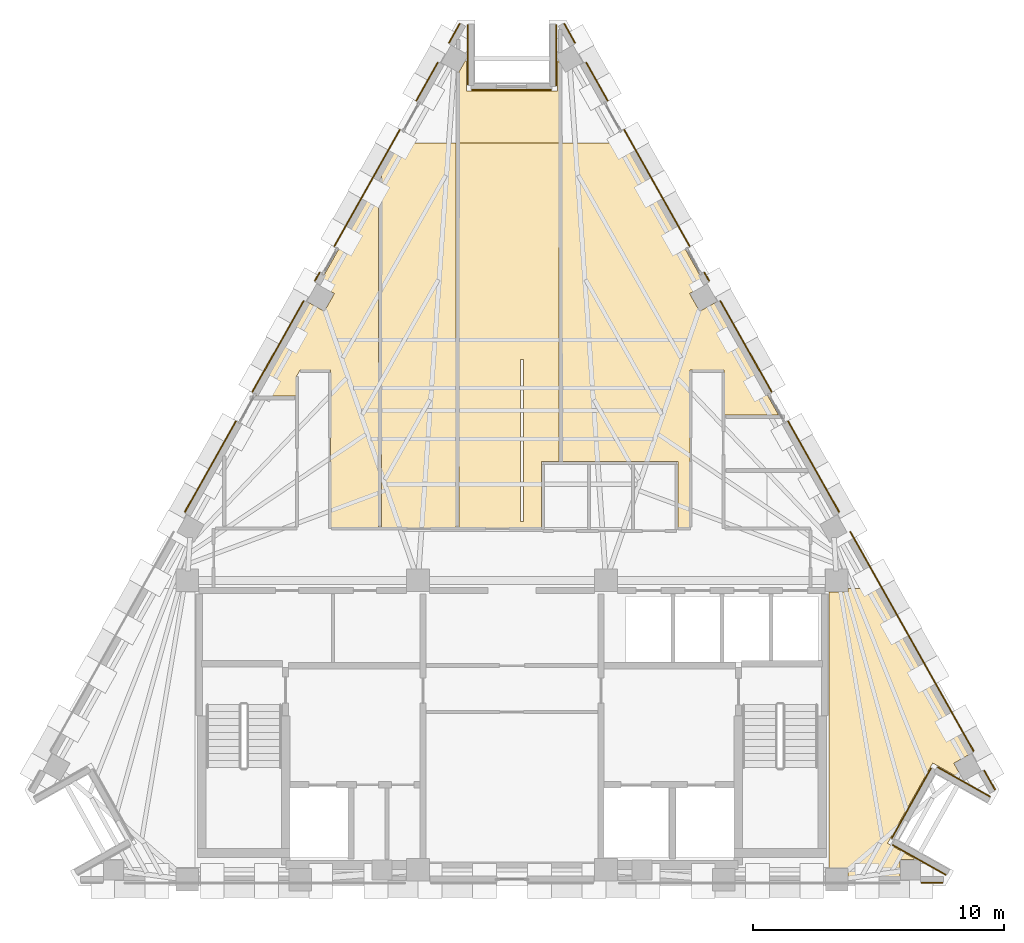
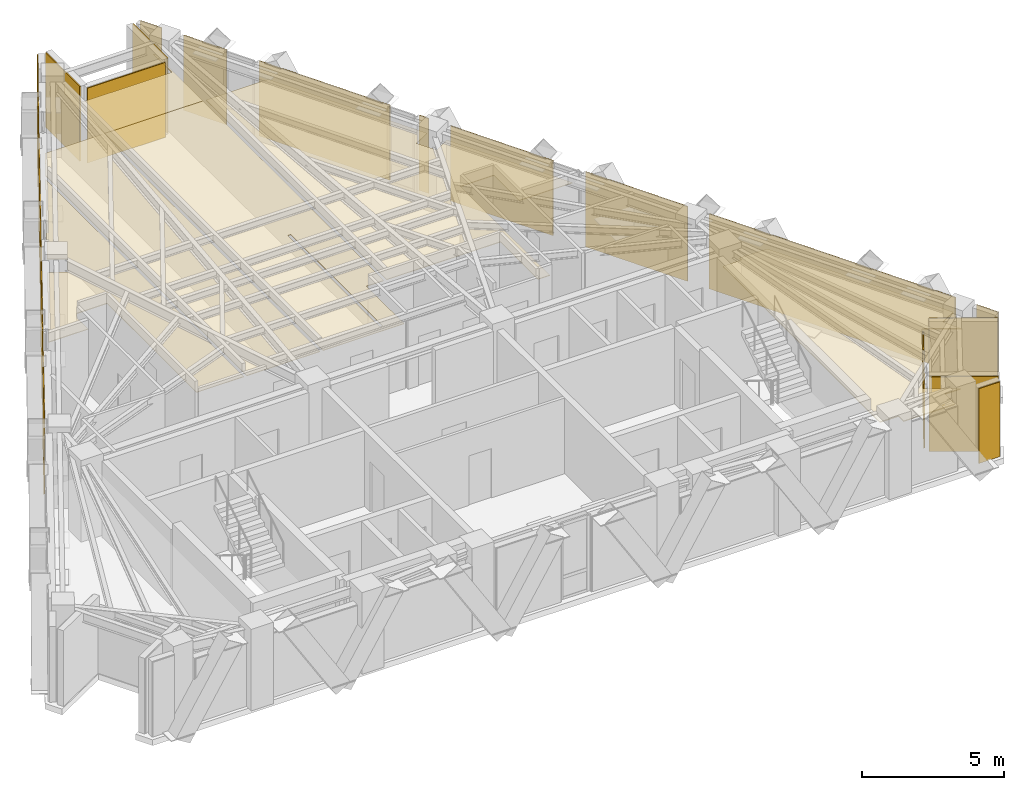
# One storey, part 9 of 9: 27 coverings.
"""IFC4 building model written with IfcOpenShell, lengths in metres."""

from ifc_helpers import new_model, si_unit, direction, frame, origin, place, context, subcontext, project, spatial, polyline, outline, extrude, material, layer, layer_set, type_object, element, save


model = new_model("IFC4")

# Units and contexts
model_context = context("Model", 3, precision=1e-05, world=origin(), true_north=direction((0.0, 1.0)))
body_context = subcontext(model_context, "Body", "Model", "MODEL_VIEW")
ifc_project = project(units=[si_unit("LENGTHUNIT", "METRE"), si_unit("AREAUNIT", "SQUARE_METRE"), si_unit("VOLUMEUNIT", "CUBIC_METRE"), si_unit("PLANEANGLEUNIT", "RADIAN"), si_unit("MASSUNIT", "GRAM", prefix="KILO")], contexts=[model_context])

# Site, building, storey
site_placement = place(None, origin())
site = spatial("IfcSite", under=ifc_project, at=site_placement, CompositionType="ELEMENT")
building_placement = place(site_placement, origin())
building = spatial("IfcBuilding", under=site, at=building_placement, Name="Quenlor Broadcast Tower", CompositionType="ELEMENT")
storey_placement = place(building_placement, frame((0.0, 0.0, 260.39990234375)))
storey = spatial("IfcBuildingStorey", under=building, at=storey_placement, Name="L72", CompositionType="ELEMENT", Elevation=260.39990234375)

# Coverings
ifc_material_1 = material(Name="Acoustic Mineral Fibre Board", Category="other")
ifc_layer_1 = layer(ifc_material_1, 0.02490234375)
ifc_layer_set_1 = layer_set([ifc_layer_1], Name="Acoustic Perforated Mineral Tile Ceiling 25")
covering_type_1 = type_object("IfcCoveringType", Name="Acoustic Perforated Mineral Tile Ceiling 25", PredefinedType="CEILING", material=ifc_layer_set_1)
covering_1_placement = place(storey_placement, frame((0.0, 0.0, 2.714599609375)))
element("IfcCovering", 1, at=covering_1_placement, inside=storey, type_object=covering_type_1, Name="L72 Acoustic Ceiling L72-23", PredefinedType="CEILING", context=body_context, shape_type="SweptSolid", body=[
    extrude(outline(polyline([(1.8798828125, -0.06005859375), (1.179931640625, -0.06005859375), (1.179931640625, -2.699951171875), (-2.104736328125, -2.699951171875), (-2.104736328125, 12.64990234375), (1.8798828125, 12.64990234375), (1.8798828125, -0.06005859375)]), holes=[polyline([(0.4599609375, -2.449951171875), (0.4599609375, 4.010009765625), (0.340087890625, 4.010009765625), (0.340087890625, -2.449951171875), (0.4599609375, -2.449951171875)])]), origin(), (0.0, 0.0, 1.0), 0.025146484375),
])
covering_2_placement = place(storey_placement, frame((0.0, 0.0, 2.714599609375)))
element("IfcCovering", 2, at=covering_2_placement, inside=storey, type_object=covering_type_1, Name="L72 Acoustic Ceiling L72-23-2", PredefinedType="CEILING", context=body_context, shape_type="SweptSolid", body=[
    extrude(outline(polyline([(1.808837890625, 16.0263671875), (1.8798828125, 15.89990234375), (1.8798828125, 12.64990234375), (-2.104736328125, 12.64990234375), (-2.104736328125, 15.500244140625), (-1.808837890625, 16.0263671875), (-1.808837890625, 14.719970703125), (1.808837890625, 14.719970703125), (1.808837890625, 16.0263671875)])), origin(), (0.0, 0.0, 1.0), 0.025146484375),
])
covering_3_placement = place(storey_placement, frame((0.0, 0.0, 2.714599609375)))
element("IfcCovering", 3, at=covering_3_placement, inside=storey, type_object=covering_type_1, Name="L72 Acoustic Ceiling L72-24", PredefinedType="CEILING", context=body_context, shape_type="SweptSolid", body=[
    extrude(outline(polyline([(7.10009765625, 3.590087890625), (7.10009765625, -2.699951171875), (6.6201171875, -2.699951171875), (6.6201171875, -0.06005859375), (2.0, -0.06005859375), (2.0, 12.64990234375), (4.53173828125, 12.64990234375), (7.711669921875, 6.996826171875), (7.0859375, 6.64501953125), (7.48583984375, 5.93359375), (8.11181640625, 6.28564453125), (10.62939453125, 1.81005859375), (8.4599609375, 1.81005859375), (8.4599609375, 3.590087890625), (7.10009765625, 3.590087890625)])), origin(), (0.0, 0.0, 1.0), 0.025146484375),
])
covering_4_placement = place(storey_placement, frame((0.0, 0.0, 2.714599609375)))
element("IfcCovering", 4, at=covering_4_placement, inside=storey, type_object=covering_type_1, Name="L72 Acoustic Ceiling L72-25", PredefinedType="CEILING", context=body_context, shape_type="SweptSolid", body=[
    extrude(outline(polyline([(-2.224609375, -2.699951171875), (-5.199951171875, -2.699951171875), (-5.199951171875, 11.4619140625), (-4.53173828125, 12.64990234375), (-2.224609375, 12.64990234375), (-2.224609375, -2.699951171875)])), origin(), (0.0, 0.0, 1.0), 0.025146484375),
])
covering_5_placement = place(storey_placement, frame((0.0, 0.0, 2.714599609375)))
element("IfcCovering", 5, at=covering_5_placement, inside=storey, type_object=covering_type_1, Name="L72 Acoustic Ceiling L72-26", PredefinedType="CEILING", context=body_context, shape_type="SweptSolid", body=[
    extrude(outline(polyline([(-7.239990234375, -2.699951171875), (-7.239990234375, 3.590087890625), (-8.457763671875, 3.590087890625), (-8.60009765625, 3.337158203125), (-8.60009765625, 2.56005859375), (-10.20751953125, 2.56005859375), (-8.11181640625, 6.28564453125), (-7.48583984375, 5.93359375), (-7.0859375, 6.64501953125), (-7.711669921875, 6.996826171875), (-5.320068359375, 11.248779296875), (-5.320068359375, -2.699951171875), (-7.239990234375, -2.699951171875)])), origin(), (0.0, 0.0, 1.0), 0.025146484375),
])
ifc_material_2 = material(Name="Acoustic Gypsum Board", Category="other")
ifc_layer_2 = layer(ifc_material_2, 0.0400390625)
ifc_layer_set_2 = layer_set([ifc_layer_2], Name="Broadcast Studio Spring Isolated Ceiling 40")
covering_type_2 = type_object("IfcCoveringType", Name="Broadcast Studio Spring Isolated Ceiling 40", PredefinedType="CEILING", material=ifc_layer_set_2)
covering_6_placement = place(storey_placement, frame((0.0, 0.0, 2.69970703125)))
element("IfcCovering", 6, at=covering_6_placement, inside=storey, type_object=covering_type_2, Name="L72 Acoustic Ceiling L72-29-2", PredefinedType="CEILING", context=body_context, shape_type="SweptSolid", body=[
    extrude(outline(polyline([(13.407958984375, -5.1201171875), (14.52734375, -5.1201171875), (18.25244140625, -11.7421875), (17.626708984375, -12.09423828125), (18.0087890625, -12.773681640625), (16.785888671875, -12.085693359375), (14.983642578125, -15.28955078125), (16.1435546875, -15.94189453125), (15.489501953125, -15.94189453125), (15.489501953125, -16.659912109375), (13.407958984375, -16.659912109375), (13.407958984375, -16.2919921875), (12.64990234375, -16.2919921875), (12.64990234375, -5.258056640625), (13.407958984375, -5.258056640625), (13.407958984375, -5.1201171875)])), origin(), (0.0, 0.0, 1.0), 0.0400390625),
])
ifc_material_3 = material(Name="Architectural Terracotta Ceramic", Category="masonry")
ifc_layer_3 = layer(ifc_material_3, 0.044921875)
ifc_layer_set_3 = layer_set([ifc_layer_3], Name="Fluted Terracotta Rainscreen Cladding Panel")
covering_type_3 = type_object("IfcCoveringType", Name="Fluted Terracotta Rainscreen Cladding Panel", PredefinedType="CLADDING", material=ifc_layer_set_3)
covering_7_placement = place(storey_placement, frame((0.0, 0.0, 0.02001953125)))
element("IfcCovering", 7, at=covering_7_placement, inside=storey, type_object=covering_type_3, Name="L72 Terracotta Rainscreen Cladding L72-SHD-SS0", PredefinedType="CLADDING", context=body_context, shape_type="SweptSolid", body=[
    extrude(outline(polyline([(17.18994140625, -16.8369140625), (16.33251953125, -16.8369140625), (16.33251953125, -16.882080078125), (17.18994140625, -16.882080078125), (17.18994140625, -16.8369140625)])), origin(), (0.0, 0.0, 1.0), 3.2099609375),
])
covering_8_placement = place(storey_placement, frame((0.0, 0.0, 0.02001953125)))
element("IfcCovering", 8, at=covering_8_placement, inside=storey, type_object=covering_type_3, Name="L72 Terracotta Rainscreen Cladding L72-SHD-NES0", PredefinedType="CLADDING", context=body_context, shape_type="SweptSolid", body=[
    extrude(outline(polyline([(2.06201171875, 17.401611328125), (2.495849609375, 16.630615234375), (2.534912109375, 16.652587890625), (2.101318359375, 17.423583984375), (2.06201171875, 17.401611328125)])), origin(), (0.0, 0.0, 1.0), 3.2099609375),
])
covering_9_placement = place(storey_placement, frame((0.0, 0.0, 0.02001953125)))
element("IfcCovering", 9, at=covering_9_placement, inside=storey, type_object=covering_type_3, Name="L72 Terracotta Rainscreen Cladding L72-SHD-NES1", PredefinedType="CLADDING", context=body_context, shape_type="SweptSolid", body=[
    extrude(outline(polyline([(18.820068359375, -12.39013671875), (19.25390625, -13.161376953125), (19.29296875, -13.139404296875), (18.859130859375, -12.3681640625), (18.820068359375, -12.39013671875)])), origin(), (0.0, 0.0, 1.0), 3.2099609375),
])
covering_10_placement = place(storey_placement, frame((0.0, 0.0, 0.02001953125)))
element("IfcCovering", 10, at=covering_10_placement, inside=storey, type_object=covering_type_3, Name="L72 Terracotta Rainscreen Cladding L72-NEA-SP1", PredefinedType="CLADDING", context=body_context, shape_type="SweptSolid", body=[
    extrude(outline(polyline([(2.94091796875, 15.859619140625), (3.8037109375, 14.325927734375), (3.8427734375, 14.347900390625), (2.980224609375, 15.881591796875), (2.94091796875, 15.859619140625)])), origin(), (0.0, 0.0, 1.0), 3.2099609375),
])
covering_11_placement = place(storey_placement, frame((0.0, 0.0, 0.02001953125)))
element("IfcCovering", 11, at=covering_11_placement, inside=storey, type_object=covering_type_3, Name="L72 Terracotta Rainscreen Cladding L72-NEA-SP2", PredefinedType="CLADDING", context=body_context, shape_type="SweptSolid", body=[
    extrude(outline(polyline([(4.450927734375, 13.17529296875), (7.0732421875, 8.51318359375), (7.1123046875, 8.53515625), (4.490234375, 13.197265625), (4.450927734375, 13.17529296875)])), origin(), (0.0, 0.0, 1.0), 3.2099609375),
])
covering_12_placement = place(storey_placement, frame((0.0, 0.0, 0.02001953125)))
element("IfcCovering", 12, at=covering_12_placement, inside=storey, type_object=covering_type_3, Name="L72 Terracotta Rainscreen Cladding L72-NEA-SP3", PredefinedType="CLADDING", context=body_context, shape_type="SweptSolid", body=[
    extrude(outline(polyline([(7.655517578125, 7.478271484375), (7.8515625, 7.129638671875), (7.890625, 7.151611328125), (7.694580078125, 7.500244140625), (7.655517578125, 7.478271484375)])), origin(), (0.0, 0.0, 1.0), 3.2099609375),
])
covering_13_placement = place(storey_placement, frame((0.0, 0.0, 0.02001953125)))
element("IfcCovering", 13, at=covering_13_placement, inside=storey, type_object=covering_type_3, Name="L72 Terracotta Rainscreen Cladding L72-EW-NEC", PredefinedType="CLADDING", context=body_context, shape_type="SweptSolid", body=[
    extrude(outline(polyline([(13.471923828125, -2.862060546875), (18.402099609375, -11.626953125), (18.44140625, -11.60498046875), (13.51123046875, -2.840087890625), (13.471923828125, -2.862060546875)])), origin(), (0.0, 0.0, 1.0), 3.2099609375),
])
covering_14_placement = place(storey_placement, frame((0.0, 0.0, 0.02001953125)))
element("IfcCovering", 14, at=covering_14_placement, inside=storey, type_object=covering_type_3, Name="L72 Terracotta Rainscreen Cladding L72-NE-SP1", PredefinedType="CLADDING", context=body_context, shape_type="SweptSolid", body=[
    extrude(outline(polyline([(8.295166015625, 6.3408203125), (10.343017578125, 2.700439453125), (10.382080078125, 2.722412109375), (8.33447265625, 6.36279296875), (8.295166015625, 6.3408203125)])), origin(), (0.0, 0.0, 1.0), 3.2099609375),
])
covering_15_placement = place(storey_placement, frame((0.0, 0.0, 0.02001953125)))
element("IfcCovering", 15, at=covering_15_placement, inside=storey, type_object=covering_type_3, Name="L72 Terracotta Rainscreen Cladding L72-NE-SP2", PredefinedType="CLADDING", context=body_context, shape_type="SweptSolid", body=[
    extrude(outline(polyline([(10.990234375, 1.5498046875), (13.0380859375, -2.0908203125), (13.0771484375, -2.068603515625), (11.029541015625, 1.57177734375), (10.990234375, 1.5498046875)])), origin(), (0.0, 0.0, 1.0), 3.2099609375),
])
covering_16_placement = place(storey_placement, frame((0.0, 0.0, 0.02001953125)))
element("IfcCovering", 16, at=covering_16_placement, inside=storey, type_object=covering_type_3, Name="L72 Terracotta Rainscreen Cladding L72-SHD-NWS1", PredefinedType="CLADDING", context=body_context, shape_type="SweptSolid", body=[
    extrude(outline(polyline([(-2.495849609375, 16.630615234375), (-2.06201171875, 17.401611328125), (-2.101318359375, 17.423583984375), (-2.534912109375, 16.652587890625), (-2.495849609375, 16.630615234375)])), origin(), (0.0, 0.0, 1.0), 3.2099609375),
])
covering_17_placement = place(storey_placement, frame((0.0, 0.0, 0.02001953125)))
element("IfcCovering", 17, at=covering_17_placement, inside=storey, type_object=covering_type_3, Name="L72 Terracotta Rainscreen Cladding L72-NWC-SP1", PredefinedType="CLADDING", context=body_context, shape_type="SweptSolid", body=[
    extrude(outline(polyline([(-7.8515625, 7.129638671875), (-7.655517578125, 7.478271484375), (-7.694580078125, 7.500244140625), (-7.890625, 7.151611328125), (-7.8515625, 7.129638671875)])), origin(), (0.0, 0.0, 1.0), 3.2099609375),
])
covering_18_placement = place(storey_placement, frame((0.0, 0.0, 0.02001953125)))
element("IfcCovering", 18, at=covering_18_placement, inside=storey, type_object=covering_type_3, Name="L72 Terracotta Rainscreen Cladding L72-NWC-SP2", PredefinedType="CLADDING", context=body_context, shape_type="SweptSolid", body=[
    extrude(outline(polyline([(-7.0732421875, 8.51318359375), (-4.450927734375, 13.17529296875), (-4.490234375, 13.197265625), (-7.1123046875, 8.53515625), (-7.0732421875, 8.51318359375)])), origin(), (0.0, 0.0, 1.0), 3.2099609375),
])
covering_19_placement = place(storey_placement, frame((0.0, 0.0, 0.02001953125)))
element("IfcCovering", 19, at=covering_19_placement, inside=storey, type_object=covering_type_3, Name="L72 Terracotta Rainscreen Cladding L72-NWC-SP3", PredefinedType="CLADDING", context=body_context, shape_type="SweptSolid", body=[
    extrude(outline(polyline([(-3.8037109375, 14.325927734375), (-2.94091796875, 15.859619140625), (-2.980224609375, 15.881591796875), (-3.8427734375, 14.347900390625), (-3.8037109375, 14.325927734375)])), origin(), (0.0, 0.0, 1.0), 3.2099609375),
])
covering_20_placement = place(storey_placement, frame((0.0, 0.0, 0.02001953125)))
element("IfcCovering", 20, at=covering_20_placement, inside=storey, type_object=covering_type_3, Name="L72 Terracotta Rainscreen Cladding L72-NW-SP1", PredefinedType="CLADDING", context=body_context, shape_type="SweptSolid", body=[
    extrude(outline(polyline([(-13.0380859375, -2.0908203125), (-10.990234375, 1.5498046875), (-11.029541015625, 1.57177734375), (-13.0771484375, -2.068603515625), (-13.0380859375, -2.0908203125)])), origin(), (0.0, 0.0, 1.0), 3.2099609375),
])
covering_21_placement = place(storey_placement, frame((0.0, 0.0, 0.02001953125)))
element("IfcCovering", 21, at=covering_21_placement, inside=storey, type_object=covering_type_3, Name="L72 Terracotta Rainscreen Cladding L72-NW-SP2", PredefinedType="CLADDING", context=body_context, shape_type="SweptSolid", body=[
    extrude(outline(polyline([(-10.343017578125, 2.700439453125), (-8.295166015625, 6.3408203125), (-8.33447265625, 6.36279296875), (-10.382080078125, 2.722412109375), (-10.343017578125, 2.700439453125)])), origin(), (0.0, 0.0, 1.0), 3.2099609375),
])
covering_22_placement = place(storey_placement, frame((0.0, 0.0, 0.02001953125)))
element("IfcCovering", 22, at=covering_22_placement, inside=storey, type_object=covering_type_3, Name="L72 Terracotta Rainscreen Cladding L72-CNR-01", PredefinedType="CLADDING", context=body_context, shape_type="SweptSolid", body=[
    extrude(outline(polyline([(17.32666015625, -16.529541015625), (15.199951171875, -15.333251953125), (15.177978515625, -15.372314453125), (17.3046875, -16.568603515625), (17.32666015625, -16.529541015625)])), origin(), (0.0, 0.0, 1.0), 3.2099609375),
])
covering_23_placement = place(storey_placement, frame((0.0, 0.0, 0.02001953125)))
element("IfcCovering", 23, at=covering_23_placement, inside=storey, type_object=covering_type_3, Name="L72 Terracotta Rainscreen Cladding L72-CNR-02", PredefinedType="CLADDING", context=body_context, shape_type="SweptSolid", body=[
    extrude(outline(polyline([(15.16552734375, -15.10498046875), (16.7421875, -12.302001953125), (16.702880859375, -12.280029296875), (15.126220703125, -15.0830078125), (15.16552734375, -15.10498046875)])), origin(), (0.0, 0.0, 1.0), 2.749755859375),
])
covering_24_placement = place(storey_placement, frame((0.0, 0.0, 0.02001953125)))
element("IfcCovering", 24, at=covering_24_placement, inside=storey, type_object=covering_type_3, Name="L72 Terracotta Rainscreen Cladding L72-CNR-03", PredefinedType="CLADDING", context=body_context, shape_type="SweptSolid", body=[
    extrude(outline(polyline([(16.970458984375, -12.267578125), (19.062255859375, -13.444091796875), (19.084228515625, -13.405029296875), (16.992431640625, -12.228271484375), (16.970458984375, -12.267578125)])), origin(), (0.0, 0.0, 1.0), 3.2099609375),
])
covering_25_placement = place(storey_placement, frame((0.0, 0.0, 0.02001953125)))
element("IfcCovering", 25, at=covering_25_placement, inside=storey, type_object=covering_type_3, Name="L72 Terracotta Rainscreen Cladding L72-CNR-07", PredefinedType="CLADDING", context=body_context, shape_type="SweptSolid", body=[
    extrude(outline(polyline([(1.74072265625, 17.3701171875), (1.74072265625, 14.929931640625), (1.785888671875, 14.929931640625), (1.785888671875, 17.3701171875), (1.74072265625, 17.3701171875)])), origin(), (0.0, 0.0, 1.0), 3.2099609375),
])
covering_26_placement = place(storey_placement, frame((0.0, 0.0, 0.02001953125)))
element("IfcCovering", 26, at=covering_26_placement, inside=storey, type_object=covering_type_3, Name="L72 Terracotta Rainscreen Cladding L72-CNR-08", PredefinedType="CLADDING", context=body_context, shape_type="SweptSolid", body=[
    extrude(outline(polyline([(1.558837890625, 14.7880859375), (-1.598876953125, 14.7880859375), (-1.598876953125, 14.742919921875), (1.558837890625, 14.742919921875), (1.558837890625, 14.7880859375)])), origin(), (0.0, 0.0, 1.0), 3.2099609375),
])
covering_27_placement = place(storey_placement, frame((0.0, 0.0, 0.02001953125)))
element("IfcCovering", 27, at=covering_27_placement, inside=storey, type_object=covering_type_3, Name="L72 Terracotta Rainscreen Cladding L72-CNR-09", PredefinedType="CLADDING", context=body_context, shape_type="SweptSolid", body=[
    extrude(outline(polyline([(-1.74072265625, 14.969970703125), (-1.74072265625, 17.3701171875), (-1.785888671875, 17.3701171875), (-1.785888671875, 14.969970703125), (-1.74072265625, 14.969970703125)])), origin(), (0.0, 0.0, 1.0), 3.2099609375),
])

save(model, "model.ifc")
